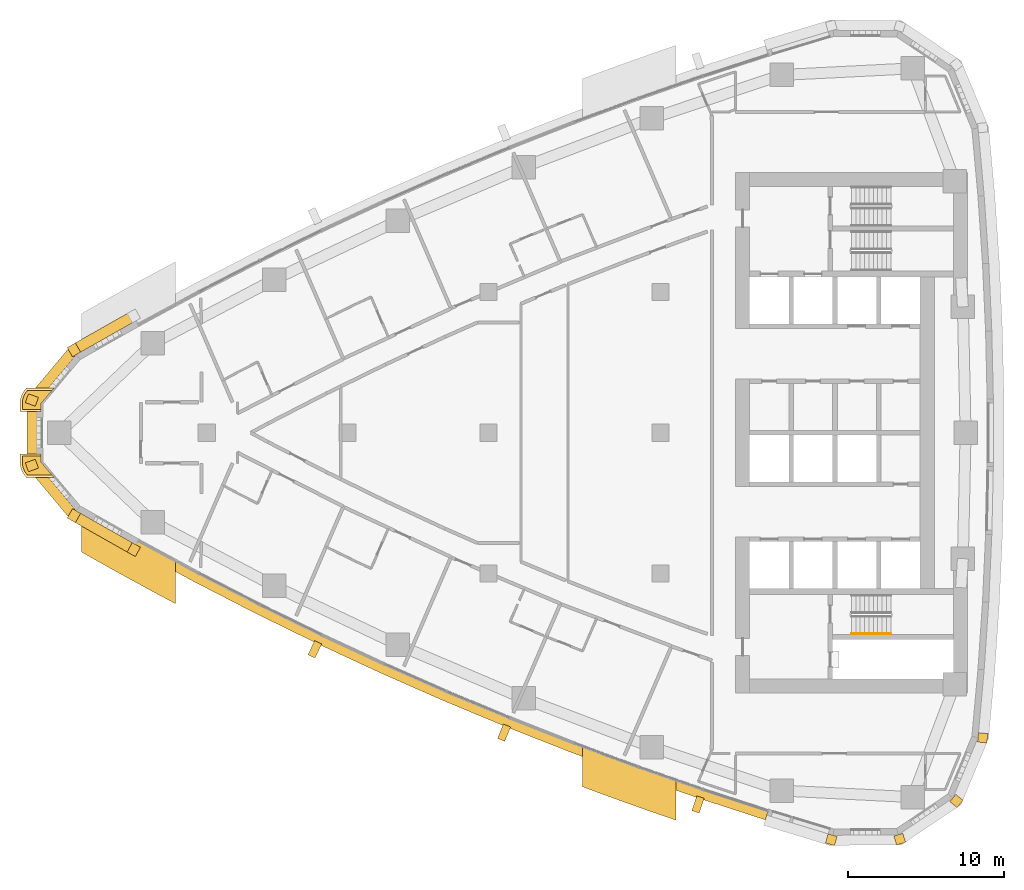
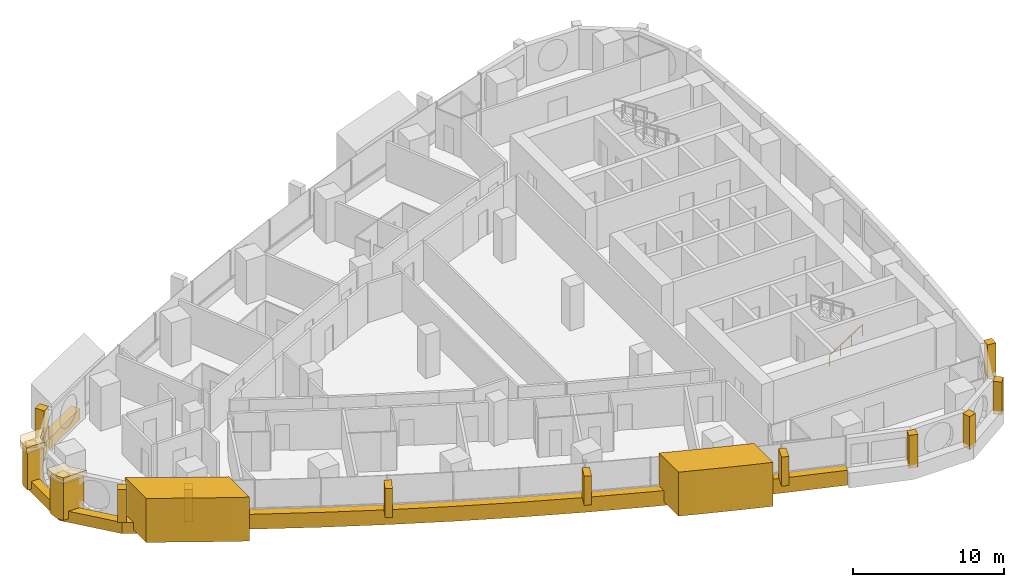
# One storey, part 14 of 17: 20 coverings, 1 railing.
"""IFC4 building model written with IfcOpenShell, lengths in metres."""

from ifc_helpers import new_model, si_unit, direction, frame, frame_2d, origin, origin_2d, place, context, subcontext, project, spatial, polyline, rectangle, circle, outline, extrude, material, layer, layer_set, type_object, element, save


model = new_model("IFC4")

# Units and contexts
model_context = context("Model", 3, precision=1e-05, world=origin(), true_north=direction((0.0, 1.0)))
body_context = subcontext(model_context, "Body", "Model", "MODEL_VIEW")
ifc_project = project(units=[si_unit("LENGTHUNIT", "METRE"), si_unit("AREAUNIT", "SQUARE_METRE"), si_unit("VOLUMEUNIT", "CUBIC_METRE"), si_unit("PLANEANGLEUNIT", "RADIAN"), si_unit("MASSUNIT", "GRAM", prefix="KILO")], contexts=[model_context])

# Site, building, storey
site_placement = place(None, origin())
site = spatial("IfcSite", under=ifc_project, at=site_placement, CompositionType="ELEMENT")
building_placement = place(site_placement, origin())
building = spatial("IfcBuilding", under=site, at=building_placement, Name="Ostrand Prow Hotel Tower", CompositionType="ELEMENT")
storey_placement = place(building_placement, frame((0.0, 0.0, 162.14990234375)))
storey = spatial("IfcBuildingStorey", under=building, at=storey_placement, Name="L40", CompositionType="ELEMENT", Elevation=162.14990234375)

# Coverings
ifc_material_1 = material(Name="Bronze anodised aluminium cladding", Category="aluminium")
ifc_layer_1 = layer(ifc_material_1, 0.60009765625)
ifc_layer_set_1 = layer_set([ifc_layer_1], Name="Bronze anodised aluminium cladding")
covering_type_1 = type_object("IfcCoveringType", Name="Bronze prow band 899x600", PredefinedType="CLADDING", material=ifc_layer_set_1)
covering_1_placement = place(storey_placement, frame((0.0, 0.0, -0.2998046875)))
element("IfcCovering", 1, at=covering_1_placement, inside=storey, type_object=covering_type_1, Name="Bronze prow band", PredefinedType="CLADDING", context=body_context, shape_type="SweptSolid", body=[
    extrude(outline(polyline([(11.16845703125, 7.766845703125), (7.335205078125, 5.594970703125), (4.5009765625, 2.208251953125), (4.5009765625, -2.208251953125), (7.335205078125, -5.594970703125), (11.16845703125, -7.766845703125), (11.497802734375, -7.171875), (7.676513671875, -5.006591796875), (5.14013671875, -1.97607421875), (5.14013671875, 1.97607421875), (7.676513671875, 5.006591796875), (11.497802734375, 7.171875), (11.16845703125, 7.766845703125)])), origin(), (0.0, 0.0, 1.0), 0.89990234375),
])
ifc_material_2 = material(Name="Bronze anodised aluminium cladding", Category="aluminium")
ifc_layer_2 = layer(ifc_material_2, 0.60009765625)
ifc_layer_set_2 = layer_set([ifc_layer_2], Name="Bronze anodised aluminium cladding")
covering_type_2 = type_object("IfcCoveringType", Name="Bronze spandrel band 1200x600", PredefinedType="CLADDING", material=ifc_layer_set_2)
covering_2_placement = place(storey_placement, frame((0.0, 0.0, -0.2998046875)))
element("IfcCovering", 2, at=covering_2_placement, inside=storey, type_object=covering_type_2, Name="Spandrel band S1", PredefinedType="CLADDING", context=body_context, shape_type="SweptSolid", body=[
    extrude(outline(polyline([(11.3466796875, -7.445068359375), (15.21630859375, -9.535888671875), (19.126953125, -11.548828125), (23.077392578125, -13.482666015625), (27.06591796875, -15.336669921875), (31.091064453125, -17.110107421875), (35.15087890625, -18.80224609375), (39.243896484375, -20.41259765625), (43.368408203125, -21.9404296875), (47.522705078125, -23.385009765625), (51.705322265625, -24.74560546875), (51.88525390625, -24.17333984375), (47.714111328125, -22.81640625), (43.571044921875, -21.375732421875), (39.457763671875, -19.85205078125), (35.376220703125, -18.24609375), (31.327392578125, -16.55859375), (27.3134765625, -14.7900390625), (23.335693359375, -12.941162109375), (19.396240234375, -11.0126953125), (15.49609375, -9.00537109375), (11.63720703125, -6.920166015625), (11.3466796875, -7.445068359375)])), origin(), (0.0, 0.0, 1.0), 1.199951171875),
])
ifc_material_3 = material(Name="Limestone cladding", Category="masonry")
ifc_layer_3 = layer(ifc_material_3, 5.0)
ifc_layer_set_3 = layer_set([ifc_layer_3], Name="Limestone cladding")
covering_type_3 = type_object("IfcCoveringType", Name="Portal jamb pilaster limestone", PredefinedType="CLADDING", material=ifc_layer_set_3)
covering_3_placement = place(storey_placement, origin())
element("IfcCovering", 3, at=covering_3_placement, inside=storey, type_object=covering_type_3, Name="Portal jamb SA L40", PredefinedType="CLADDING", context=body_context, shape_type="SweptSolid", body=[
    extrude(outline(polyline([(8.0, -4.861572265625), (8.0, -7.62939453125), (9.0, -8.1962890625), (10.0, -8.75634765625), (11.0, -9.3095703125), (12.0, -9.856201171875), (13.0, -10.39599609375), (14.0, -10.92919921875), (14.0, -8.208740234375), (13.0, -7.66796875), (12.0, -7.12060546875), (11.0, -6.566162109375), (10.0, -6.0048828125), (9.0, -5.436767578125), (8.0, -4.861572265625)])), origin(), (0.0, 0.0, 1.0), 3.550048828125),
])
covering_4_placement = place(storey_placement, origin())
element("IfcCovering", 4, at=covering_4_placement, inside=storey, type_object=covering_type_3, Name="Portal jamb SB L40", PredefinedType="CLADDING", context=body_context, shape_type="SweptSolid", body=[
    extrude(outline(polyline([(40.0, -20.058349609375), (40.0, -22.622802734375), (41.0, -22.994140625), (42.0, -23.360107421875), (43.0, -23.720458984375), (44.0, -24.075439453125), (45.0, -24.425048828125), (46.0, -24.769287109375), (46.0, -22.231689453125), (45.0, -21.883056640625), (44.0, -21.529296875), (43.0, -21.169921875), (42.0, -20.804931640625), (41.0, -20.434326171875), (40.0, -20.058349609375)])), origin(), (0.0, 0.0, 1.0), 3.550048828125),
])
ifc_material_4 = material(Name="Limestone cladding", Category="masonry")
ifc_layer_4 = layer(ifc_material_4, 0.5)
ifc_layer_set_4 = layer_set([ifc_layer_4], Name="Limestone cladding")
covering_type_4 = type_object("IfcCoveringType", Name="Precast stone fin 500x900", PredefinedType="CLADDING", material=ifc_layer_set_4)
covering_5_placement = place(storey_placement, frame((23.12060546875, -13.392333984375, 0.900146484375), z_axis=(0.0, 0.0, 1.0), x_axis=(-0.430634686673, -0.902526324621, 0.0)))
element("IfcCovering", 5, at=covering_5_placement, inside=storey, type_object=covering_type_4, Name="Stone fin S 4", PredefinedType="CLADDING", context=body_context, shape_type="SweptSolid", body=[
    extrude(rectangle(XDim=1.0, YDim=0.5, at=frame_2d((0.5, 0.0))), origin(), (0.0, 0.0, 1.0), 2.349853515625),
])
covering_6_placement = place(storey_placement, frame((35.188232421875, -18.709716796875, 0.900146484375), z_axis=(0.0, 0.0, 1.0), x_axis=(-0.375302653349, -0.926902324082, 0.0)))
element("IfcCovering", 6, at=covering_6_placement, inside=storey, type_object=covering_type_4, Name="Stone fin S 7", PredefinedType="CLADDING", context=body_context, shape_type="SweptSolid", body=[
    extrude(rectangle(XDim=0.999755859375, YDim=0.5, at=frame_2d((0.5, 0.0))), origin(), (0.0, 0.0, 1.0), 2.349853515625),
])
covering_7_placement = place(storey_placement, frame((47.5546875, -23.290283203125, 0.900146484375), z_axis=(0.0, 0.0, 1.0), x_axis=(-0.319082696504, -0.947726876685, 0.0)))
element("IfcCovering", 7, at=covering_7_placement, inside=storey, type_object=covering_type_4, Name="Stone fin S 10", PredefinedType="CLADDING", context=body_context, shape_type="SweptSolid", body=[
    extrude(rectangle(XDim=1.0, YDim=0.5, at=frame_2d((0.5, 0.0))), origin(), (0.0, 0.0, 1.0), 2.349853515625),
])
ifc_material_5 = material(Name="Limestone cladding", Category="masonry")
ifc_layer_5 = layer(ifc_material_5, 0.60009765625)
ifc_layer_set_5 = layer_set([ifc_layer_5], Name="Limestone cladding")
covering_type_5 = type_object("IfcCoveringType", Name="Precast stone prow rib 600x600", PredefinedType="CLADDING", material=ifc_layer_set_5)
covering_8_placement = place(storey_placement, frame((7.676513671875, 5.006591796875, 0.60009765625), z_axis=(0.0, 0.0, 1.0), x_axis=(-0.501771803437, 0.865000033107, 0.0)))
element("IfcCovering", 8, at=covering_8_placement, inside=storey, type_object=covering_type_5, Name="Stone prow rib 2", PredefinedType="CLADDING", context=body_context, shape_type="SweptSolid", body=[
    extrude(rectangle(XDim=0.68017578125, YDim=0.60009765625, at=frame_2d((0.340087890625, 0.0))), origin(), (0.0, 0.0, 1.0), 2.64990234375),
])
for number, where, z_axis, x_axis, name in (
    (9, (5.14013671875, 1.97607421875, 0.60009765625), (0.0, 0.0, 1.0), (-0.939908674991, 0.341425954896, 0.0), "Stone prow rib 3"),
    (10, (5.14013671875, -1.97607421875, 0.60009765625), (0.0, 0.0, 1.0), (-0.939908674991, -0.341425954896, 0.0), "Stone prow rib 4"),
):
    element("IfcCovering", number, at=place(storey_placement, frame(where, z_axis=z_axis, x_axis=x_axis)), inside=storey, type_object=covering_type_5, Name=name, PredefinedType="CLADDING", context=body_context, shape_type="SweptSolid", body=[
        extrude(rectangle(XDim=0.679931640625, YDim=0.60009765625, at=frame_2d((0.33984375, 0.0))), origin(), (0.0, 0.0, 1.0), 2.64990234375),
    ])
covering_9_placement = place(storey_placement, frame((7.676513671875, -5.006591796875, 0.60009765625), z_axis=(0.0, 0.0, 1.0), x_axis=(-0.501771803437, -0.865000033107, 0.0)))
element("IfcCovering", 11, at=covering_9_placement, inside=storey, type_object=covering_type_5, Name="Stone prow rib 5", PredefinedType="CLADDING", context=body_context, shape_type="SweptSolid", body=[
    extrude(rectangle(XDim=0.68017578125, YDim=0.60009765625, at=frame_2d((0.340087890625, 0.0))), origin(), (0.0, 0.0, 1.0), 2.64990234375),
])
covering_10_placement = place(storey_placement, frame((11.497802734375, -7.171875, 0.60009765625), z_axis=(0.0, 0.0, 1.0), x_axis=(-0.484301161624, -0.874901357211, 0.0)))
element("IfcCovering", 12, at=covering_10_placement, inside=storey, type_object=covering_type_5, Name="Stone prow rib 6", PredefinedType="CLADDING", context=body_context, shape_type="SweptSolid", body=[
    extrude(rectangle(XDim=0.679931640625, YDim=0.60009765625, at=frame_2d((0.33984375, 0.0))), origin(), (0.0, 0.0, 1.0), 2.64990234375),
])
covering_11_placement = place(storey_placement, frame((56.001953125, -25.722412109375, 0.60009765625), z_axis=(0.0, 0.0, 1.0), x_axis=(-0.280734221166, -0.959785547436, 0.0)))
element("IfcCovering", 13, at=covering_11_placement, inside=storey, type_object=covering_type_5, Name="Stone corner rib 2a", PredefinedType="CLADDING", context=body_context, shape_type="SweptSolid", body=[
    extrude(rectangle(XDim=0.60009765625, YDim=0.60009765625, at=frame_2d((0.300048828125, 0.0))), origin(), (0.0, 0.0, 1.0), 2.64990234375),
])
for number, where, z_axis, x_axis, name in (
    (14, (60.201171875, -25.689697265625, 0.60009765625), (0.0, 0.0, 1.0), (0.295515682615, -0.955337888565, 0.0), "Stone corner rib 3a"),
    (15, (63.68505859375, -23.34521484375, 0.60009765625), (0.0, 0.0, 1.0), (0.773830327772, -0.633392945825, 0.0), "Stone corner rib 4a"),
):
    element("IfcCovering", number, at=place(storey_placement, frame(where, z_axis=z_axis, x_axis=x_axis)), inside=storey, type_object=covering_type_5, Name=name, PredefinedType="CLADDING", context=body_context, shape_type="SweptSolid", body=[
        extrude(rectangle(XDim=0.599853515625, YDim=0.60009765625, at=frame_2d((0.2998046875, 0.0))), origin(), (0.0, 0.0, 1.0), 2.64990234375),
    ])
covering_12_placement = place(storey_placement, frame((65.296875, -19.467529296875, 0.60009765625), z_axis=(0.0, 0.0, 1.0), x_axis=(0.994854249607, -0.101316445052, 0.0)))
element("IfcCovering", 16, at=covering_12_placement, inside=storey, type_object=covering_type_5, Name="Stone corner rib 4b", PredefinedType="CLADDING", context=body_context, shape_type="SweptSolid", body=[
    extrude(rectangle(XDim=0.60009765625, YDim=0.60009765625, at=frame_2d((0.300048828125, 0.0))), origin(), (0.0, 0.0, 1.0), 2.64990234375),
])
ifc_material_6 = material(Name="Limestone cladding", Category="masonry")
ifc_layer_6 = layer(ifc_material_6, 3.0)
ifc_layer_set_6 = layer_set([ifc_layer_6], Name="Limestone cladding")
covering_type_6 = type_object("IfcCoveringType", Name="Prow nose pier limestone", PredefinedType="CLADDING", material=ifc_layer_set_6)
covering_13_placement = place(storey_placement, frame((0.0, 0.0, 3.050048828125)))
element("IfcCovering", 17, at=covering_13_placement, inside=storey, type_object=covering_type_6, Name="Prow spine cap N L40", PredefinedType="CLADDING", context=body_context, shape_type="SweptSolid", body=[
    extrude(outline(polyline([(4.060546875, 1.877685546875), (4.060546875, 1.35009765625), (5.41064453125, 1.35009765625), (5.41064453125, 1.877685546875), (6.224365234375, 2.85009765625), (4.4638671875, 2.85009765625), (4.375244140625, 2.744140625), (4.29443359375, 2.636962890625), (4.224365234375, 2.522216796875), (4.166259765625, 2.401123046875), (4.120361328125, 2.27490234375), (4.08740234375, 2.144775390625), (4.0673828125, 2.011962890625), (4.060546875, 1.877685546875)])), origin(), (0.0, 0.0, 1.0), 0.5),
])
covering_14_placement = place(storey_placement, origin())
element("IfcCovering", 18, at=covering_14_placement, inside=storey, type_object=covering_type_6, Name="Prow spine fin N L40", PredefinedType="CLADDING", context=body_context, shape_type="SweptSolid", body=[
    extrude(outline(polyline([(4.210693359375, 1.877685546875), (4.210693359375, 1.5), (5.41064453125, 1.5), (5.41064453125, 1.877685546875), (6.098876953125, 2.699951171875), (4.533935546875, 2.699951171875), (4.490478515625, 2.64794921875), (4.41845703125, 2.552490234375), (4.356201171875, 2.45068359375), (4.304443359375, 2.343017578125), (4.263916015625, 2.230712890625), (4.234375, 2.114990234375), (4.216552734375, 1.9970703125), (4.210693359375, 1.877685546875)])), origin(), (0.0, 0.0, 1.0), 3.050048828125),
])
covering_15_placement = place(storey_placement, frame((0.0, 0.0, 3.050048828125)))
element("IfcCovering", 19, at=covering_15_placement, inside=storey, type_object=covering_type_6, Name="Prow spine cap S L40", PredefinedType="CLADDING", context=body_context, shape_type="SweptSolid", body=[
    extrude(outline(polyline([(4.375244140625, -2.744140625), (4.4638671875, -2.85009765625), (6.224365234375, -2.85009765625), (5.41064453125, -1.877685546875), (5.41064453125, -1.35009765625), (4.060546875, -1.35009765625), (4.060546875, -1.877685546875), (4.0673828125, -2.011962890625), (4.08740234375, -2.144775390625), (4.120361328125, -2.27490234375), (4.166259765625, -2.401123046875), (4.224365234375, -2.522216796875), (4.29443359375, -2.636962890625), (4.375244140625, -2.744140625)])), origin(), (0.0, 0.0, 1.0), 0.5),
])
covering_16_placement = place(storey_placement, origin())
element("IfcCovering", 20, at=covering_16_placement, inside=storey, type_object=covering_type_6, Name="Prow spine fin S L40", PredefinedType="CLADDING", context=body_context, shape_type="SweptSolid", body=[
    extrude(outline(polyline([(4.490478515625, -2.64794921875), (4.533935546875, -2.699951171875), (6.098876953125, -2.699951171875), (5.41064453125, -1.877685546875), (5.41064453125, -1.5), (4.210693359375, -1.5), (4.210693359375, -1.877685546875), (4.216552734375, -1.9970703125), (4.234375, -2.114990234375), (4.263916015625, -2.230712890625), (4.304443359375, -2.343017578125), (4.356201171875, -2.45068359375), (4.41845703125, -2.552490234375), (4.490478515625, -2.64794921875)])), origin(), (0.0, 0.0, 1.0), 3.050048828125),
])

# Railing
ifc_material_7 = material(Name="Stainless steel", Category="steel")
railing_type = type_object("IfcRailingType", Name="Stair handrail 900", PredefinedType="HANDRAIL", material=ifc_material_7)
railing_placement = place(storey_placement, frame((57.199951171875, -12.85009765625, 0.177490234375)))
element("IfcRailing", 21, at=railing_placement, inside=storey, type_object=railing_type, Name="L40 ST2C stair handrail 1", PredefinedType="HANDRAIL", context=body_context, shape_type="SweptSolid", body=[
    extrude(circle(Radius=0.02392578125, at=origin_2d()), frame((0.0, 0.0, 0.8759765625), z_axis=(0.84456994832, 0.0, 0.535445237532), x_axis=(0.0, 1.0, 0.0)), (0.0, 0.0, 1.0), 2.98388671875),
    extrude(circle(Radius=0.02099609375, at=origin_2d()), origin(), (0.0, 0.0, 1.0), 0.851806640625),
    extrude(circle(Radius=0.02099609375, at=origin_2d()), frame((0.840087890625, 0.0, 0.532470703125)), (0.0, 0.0, 1.0), 0.851806640625),
    extrude(circle(Radius=0.02099609375, at=origin_2d()), frame((1.679931640625, 0.0, 1.065185546875)), (0.0, 0.0, 1.0), 0.851806640625),
    extrude(circle(Radius=0.02099609375, at=origin_2d()), frame((2.52001953125, 0.0, 1.59765625)), (0.0, 0.0, 1.0), 0.851806640625),
])

save(model, "model.ifc")
